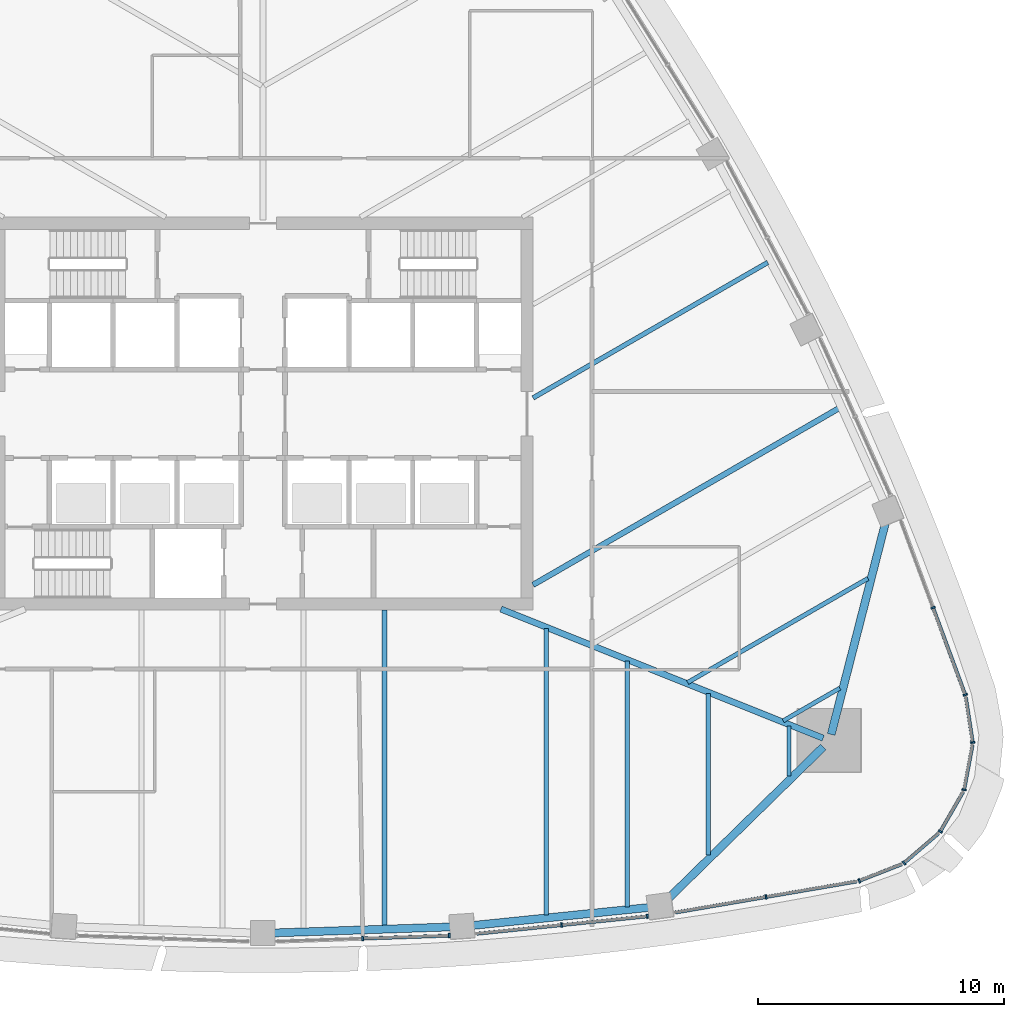
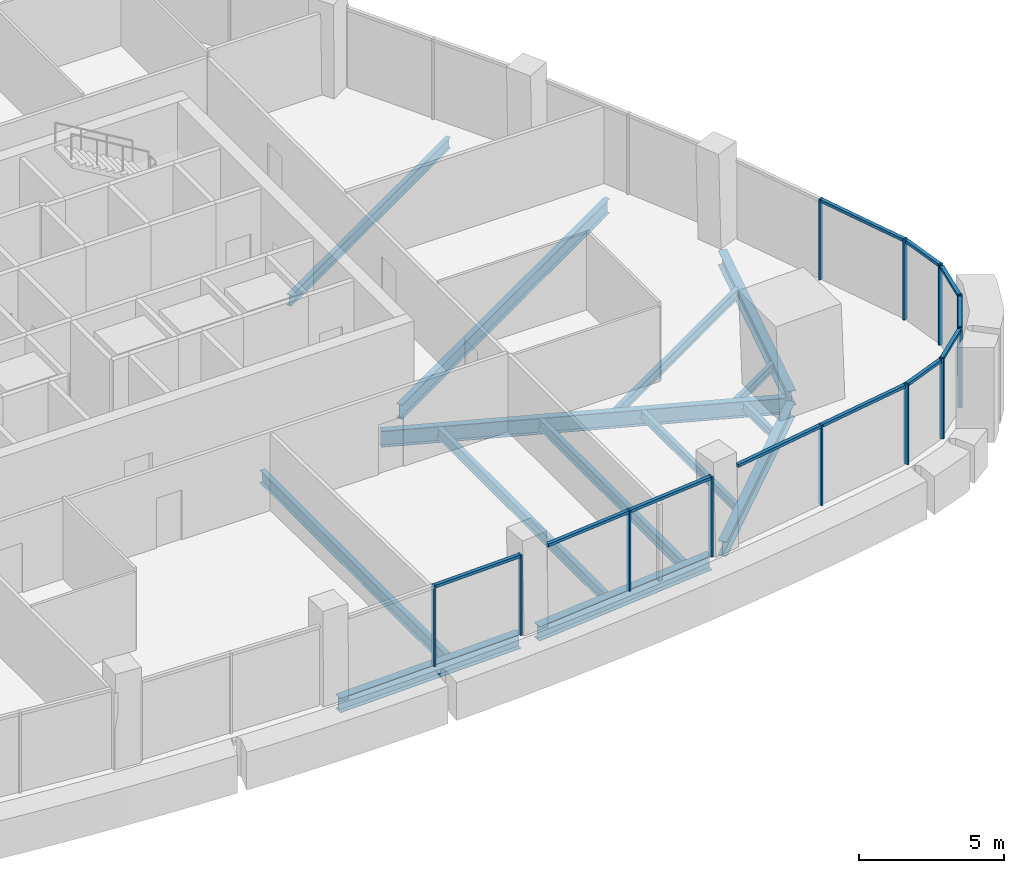
# One storey, part 4 of 16: 23 members, 14 beams, 9 elements without a shape of their own.
"""IFC4 building model written with IfcOpenShell, lengths in metres."""

from ifc_helpers import new_model, si_unit, direction, frame, origin, origin_2d, place, context, subcontext, project, spatial, rectangle, i_section, extrude, material, layer, layer_set, material_profile, profile_set, type_object, element, aggregate, save


model = new_model("IFC4")

# Units and contexts
model_context = context("Model", 3, precision=1e-05, world=origin(), true_north=direction((0.0, 1.0)))
body_context = subcontext(model_context, "Body", "Model", "MODEL_VIEW")
ifc_project = project(units=[si_unit("LENGTHUNIT", "METRE"), si_unit("AREAUNIT", "SQUARE_METRE"), si_unit("VOLUMEUNIT", "CUBIC_METRE"), si_unit("PLANEANGLEUNIT", "RADIAN"), si_unit("MASSUNIT", "GRAM", prefix="KILO")], contexts=[model_context])

# Site, building, storey
site_placement = place(None, origin())
site = spatial("IfcSite", under=ifc_project, at=site_placement, CompositionType="ELEMENT")
building_placement = place(site_placement, origin())
building = spatial("IfcBuilding", under=site, at=building_placement, Name="Sierra Prisma Convention Tower", CompositionType="ELEMENT")
storey_placement = place(building_placement, frame((0.0, 0.0, 197.800048828125)))
storey = spatial("IfcBuildingStorey", under=building, at=storey_placement, Name="L44", CompositionType="ELEMENT", Elevation=197.800048828125)

# Curtain wall, members
ifc_material_1 = material(Name="Aluminium and glass curtain wall", Category="aluminium")
ifc_layer = layer(ifc_material_1, 0.179931640625)
ifc_layer_set = layer_set([ifc_layer], Name="CW-1 Plain shaft curtain wall")
curtain_wall_type = type_object("IfcCurtainWallType", Name="CW-1 Plain shaft curtain wall", PredefinedType="NOTDEFINED", material=ifc_layer_set)
curtain_wall_1_placement = place(storey_placement, origin())
curtain_wall_1 = element("IfcCurtainWall", 1, at=curtain_wall_1_placement, inside=storey, type_object=curtain_wall_type, Name="CW-1 S4 L44", PredefinedType="NOTDEFINED")
ifc_material_2 = material(Name="Aluminium 6063-T6 bronze anodised", Category="aluminium")
ifc_material_profile_1 = material_profile(ifc_material_2, rectangle(XDim=0.179931640625, YDim=0.070068359375, at=origin_2d()), Name="ALU MULLION 70x180")
ifc_profile_set_1 = profile_set([ifc_material_profile_1], Name="Aluminium 6063-T6 bronze anodised")
member_type_1 = type_object("IfcMemberType", Name="CW mullion bronze", PredefinedType="MULLION", material=ifc_profile_set_1)
member_1_placement = place(storey_placement, frame((4.06103515625, -21.375244140625, 0.0), z_axis=(0.0, 0.0, 1.0), x_axis=(-0.033892990048, 0.999425467569, 0.0)))
member_1 = element("IfcMember", 2, at=member_1_placement, type_object=member_type_1, Name="CW-1 mullion S4.2", PredefinedType="MULLION", context=body_context, shape_type="SweptSolid", body=[
    extrude(rectangle(XDim=0.179931640625, YDim=0.070068359375, at=origin_2d()), origin(), (0.0, 0.0, 1.0), 3.39990234375),
])
member_2_placement = place(storey_placement, frame((7.587158203125, -21.255615234375, 0.0), z_axis=(0.0, 0.0, 1.0), x_axis=(-0.033892990048, 0.999425467569, 0.0)))
member_2 = element("IfcMember", 3, at=member_2_placement, type_object=member_type_1, Name="CW-1 mullion S4.3", PredefinedType="MULLION", context=body_context, shape_type="SweptSolid", body=[
    extrude(rectangle(XDim=0.179931640625, YDim=0.070068359375, at=origin_2d()), origin(), (0.0, 0.0, 1.0), 3.39990234375),
])

curtain_wall_2_placement = place(storey_placement, origin())
curtain_wall_2 = element("IfcCurtainWall", 4, at=curtain_wall_2_placement, inside=storey, type_object=curtain_wall_type, Name="CW-1 S5 L44", PredefinedType="NOTDEFINED")
member_3_placement = place(storey_placement, frame((12.16064453125, -20.826171875, 0.0), z_axis=(0.0, 0.0, 1.0), x_axis=(-0.101523233919, 0.994833168413, 0.0)))
member_3 = element("IfcMember", 5, at=member_3_placement, type_object=member_type_1, Name="CW-1 mullion S5.2", PredefinedType="MULLION", context=body_context, shape_type="SweptSolid", body=[
    extrude(rectangle(XDim=0.179931640625, YDim=0.070068359375, at=origin_2d()), origin(), (0.0, 0.0, 1.0), 3.39990234375),
])
member_4_placement = place(storey_placement, frame((15.65478515625, -20.469482421875, 0.0), z_axis=(0.0, 0.0, 1.0), x_axis=(-0.101523233919, 0.994833168413, 0.0)))
member_4 = element("IfcMember", 6, at=member_4_placement, type_object=member_type_1, Name="CW-1 mullion S5.3", PredefinedType="MULLION", context=body_context, shape_type="SweptSolid", body=[
    extrude(rectangle(XDim=0.179931640625, YDim=0.070068359375, at=origin_2d()), origin(), (0.0, 0.0, 1.0), 3.39990234375),
])

# Curtain wall, member
curtain_wall_3_placement = place(storey_placement, origin())
curtain_wall_3 = element("IfcCurtainWall", 7, at=curtain_wall_3_placement, inside=storey, type_object=curtain_wall_type, Name="CW-1 S6 L44", PredefinedType="NOTDEFINED")
member_5_placement = place(storey_placement, frame((20.489013671875, -19.68212890625, 0.0), z_axis=(0.0, 0.0, 1.0), x_axis=(-0.168686984713, 0.985669671436, 0.0)))
member_5 = element("IfcMember", 8, at=member_5_placement, type_object=member_type_1, Name="CW-1 mullion S6.2", PredefinedType="MULLION", context=body_context, shape_type="SweptSolid", body=[
    extrude(rectangle(XDim=0.179931640625, YDim=0.070068359375, at=origin_2d()), origin(), (0.0, 0.0, 1.0), 3.39990234375),
])

curtain_wall_4_placement = place(storey_placement, origin())
curtain_wall_4 = element("IfcCurtainWall", 9, at=curtain_wall_4_placement, inside=storey, type_object=curtain_wall_type, Name="CW-1 SE1 L44", PredefinedType="NOTDEFINED")
member_6_placement = place(storey_placement, frame((24.286376953125, -19.02490234375, 0.0), z_axis=(0.0, 0.0, 1.0), x_axis=(-0.363625643314, 0.931545163438, 0.0)))
member_6 = element("IfcMember", 10, at=member_6_placement, type_object=member_type_1, Name="CW-1 mullion SE1.1", PredefinedType="MULLION", context=body_context, shape_type="SweptSolid", body=[
    extrude(rectangle(XDim=0.179931640625, YDim=0.070068359375, at=origin_2d()), origin(), (0.0, 0.0, 1.0), 3.39990234375),
])

curtain_wall_5_placement = place(storey_placement, origin())
curtain_wall_5 = element("IfcCurtainWall", 11, at=curtain_wall_5_placement, inside=storey, type_object=curtain_wall_type, Name="CW-1 SE2 L44", PredefinedType="NOTDEFINED")
member_7_placement = place(storey_placement, frame((26.1064453125, -18.302001953125, 0.0), z_axis=(0.0, 0.0, 1.0), x_axis=(-0.651589004994, 0.758572190744, 0.0)))
member_7 = element("IfcMember", 12, at=member_7_placement, type_object=member_type_1, Name="CW-1 mullion SE2.1", PredefinedType="MULLION", context=body_context, shape_type="SweptSolid", body=[
    extrude(rectangle(XDim=0.179931640625, YDim=0.070068359375, at=origin_2d()), origin(), (0.0, 0.0, 1.0), 3.39990234375),
])

curtain_wall_6_placement = place(storey_placement, origin())
curtain_wall_6 = element("IfcCurtainWall", 13, at=curtain_wall_6_placement, inside=storey, type_object=curtain_wall_type, Name="CW-1 SE3 L44", PredefinedType="NOTDEFINED")
member_8_placement = place(storey_placement, frame((27.58447265625, -17.017333984375, 0.0), z_axis=(0.0, 0.0, 1.0), x_axis=(-0.866025403784, 0.5, 0.0)))
member_8 = element("IfcMember", 14, at=member_8_placement, type_object=member_type_1, Name="CW-1 mullion SE3.1", PredefinedType="MULLION", context=body_context, shape_type="SweptSolid", body=[
    extrude(rectangle(XDim=0.179931640625, YDim=0.070068359375, at=origin_2d()), origin(), (0.0, 0.0, 1.0), 3.39990234375),
])

curtain_wall_7_placement = place(storey_placement, origin())
curtain_wall_7 = element("IfcCurtainWall", 15, at=curtain_wall_7_placement, inside=storey, type_object=curtain_wall_type, Name="CW-1 SE4 L44", PredefinedType="NOTDEFINED")
member_9_placement = place(storey_placement, frame((28.5537109375, -15.3154296875, 0.0), z_axis=(0.0, 0.0, 1.0), x_axis=(-0.982737290286, 0.185006535779, 0.0)))
member_9 = element("IfcMember", 16, at=member_9_placement, type_object=member_type_1, Name="CW-1 mullion SE4.1", PredefinedType="MULLION", context=body_context, shape_type="SweptSolid", body=[
    extrude(rectangle(XDim=0.179931640625, YDim=0.070068359375, at=origin_2d()), origin(), (0.0, 0.0, 1.0), 3.39990234375),
])

curtain_wall_8_placement = place(storey_placement, origin())
curtain_wall_8 = element("IfcCurtainWall", 17, at=curtain_wall_8_placement, inside=storey, type_object=curtain_wall_type, Name="CW-1 SE5 L44", PredefinedType="NOTDEFINED")
member_10_placement = place(storey_placement, frame((28.904541015625, -13.388671875, 0.0), z_axis=(0.0, 0.0, 1.0), x_axis=(-0.988554597967, -0.150863537142, 0.0)))
member_10 = element("IfcMember", 18, at=member_10_placement, type_object=member_type_1, Name="CW-1 mullion SE5.1", PredefinedType="MULLION", context=body_context, shape_type="SweptSolid", body=[
    extrude(rectangle(XDim=0.179931640625, YDim=0.070068359375, at=origin_2d()), origin(), (0.0, 0.0, 1.0), 3.39990234375),
])

# Curtain wall, members
curtain_wall_9_placement = place(storey_placement, origin())
curtain_wall_9 = element("IfcCurtainWall", 19, at=curtain_wall_9_placement, inside=storey, type_object=curtain_wall_type, Name="CW-1 NE1 L44", PredefinedType="NOTDEFINED")
member_11_placement = place(storey_placement, frame((28.601806640625, -11.45263671875, 0.0), z_axis=(0.0, 0.0, 1.0), x_axis=(-0.93795846756, -0.346747621669, 0.0)))
member_11 = element("IfcMember", 20, at=member_11_placement, type_object=member_type_1, Name="CW-1 mullion NE1.1", PredefinedType="MULLION", context=body_context, shape_type="SweptSolid", body=[
    extrude(rectangle(XDim=0.179931640625, YDim=0.070068359375, at=origin_2d()), origin(), (0.0, 0.0, 1.0), 3.39990234375),
])
member_12_placement = place(storey_placement, frame((27.28955078125, -7.90283203125, 0.0), z_axis=(0.0, 0.0, 1.0), x_axis=(-0.93795846756, -0.346747621669, 0.0)))
member_12 = element("IfcMember", 21, at=member_12_placement, type_object=member_type_1, Name="CW-1 mullion NE1.2", PredefinedType="MULLION", context=body_context, shape_type="SweptSolid", body=[
    extrude(rectangle(XDim=0.179931640625, YDim=0.070068359375, at=origin_2d()), origin(), (0.0, 0.0, 1.0), 3.39990234375),
])

# Member
ifc_material_3 = material(Name="Aluminium 6063-T6 bronze anodised", Category="aluminium")
ifc_material_profile_2 = material_profile(ifc_material_3, rectangle(XDim=0.139892578125, YDim=0.1201171875, at=origin_2d()), Name="ALU TRANSOM 120x140")
ifc_profile_set_2 = profile_set([ifc_material_profile_2], Name="Aluminium 6063-T6 bronze anodised")
member_type_2 = type_object("IfcMemberType", Name="CW transom bronze", PredefinedType="USERDEFINED", material=ifc_profile_set_2)
member_13_placement = place(storey_placement, frame((4.095947265625, -21.3740234375, 3.33984375), z_axis=(0.999425704029, 0.033886016666, 0.0), x_axis=(-0.033886016666, 0.999425704029, 0.0)))
member_13 = element("IfcMember", 22, at=member_13_placement, type_object=member_type_2, Name="CW-1 transom S4.2", ObjectType="TRANSOM", PredefinedType="USERDEFINED", context=body_context, shape_type="SweptSolid", body=[
    extrude(rectangle(XDim=0.139892578125, YDim=0.1201171875, at=origin_2d()), origin(), (0.0, 0.0, 1.0), 3.458251953125),
])

aggregate(curtain_wall_1, [member_1, member_2, member_13])

member_14_placement = place(storey_placement, frame((8.701416015625, -21.17919921875, 3.33984375), z_axis=(0.994829317746, 0.101560959793, 0.0), x_axis=(-0.101560959793, 0.994829317746, 0.0)))
member_14 = element("IfcMember", 23, at=member_14_placement, type_object=member_type_2, Name="CW-1 transom S5.1", ObjectType="TRANSOM", PredefinedType="USERDEFINED", context=body_context, shape_type="SweptSolid", body=[
    extrude(rectangle(XDim=0.139892578125, YDim=0.1201171875, at=origin_2d()), origin(), (0.0, 0.0, 1.0), 3.4423828125),
])

member_15_placement = place(storey_placement, frame((12.195556640625, -20.822509765625, 3.33984375), z_axis=(0.99483648103, 0.101490768115, 0.0), x_axis=(-0.101490768115, 0.99483648103, 0.0)))
member_15 = element("IfcMember", 24, at=member_15_placement, type_object=member_type_2, Name="CW-1 transom S5.2", ObjectType="TRANSOM", PredefinedType="USERDEFINED", context=body_context, shape_type="SweptSolid", body=[
    extrude(rectangle(XDim=0.139892578125, YDim=0.1201171875, at=origin_2d()), origin(), (0.0, 0.0, 1.0), 3.4423828125),
])

aggregate(curtain_wall_2, [member_3, member_4, member_14, member_15])

member_16_placement = place(storey_placement, frame((16.793212890625, -20.314453125, 3.33984375), z_axis=(0.985675993984, 0.168650036712, 0.0), x_axis=(-0.168650036712, 0.985675993984, 0.0)))
member_16 = element("IfcMember", 25, at=member_16_placement, type_object=member_type_2, Name="CW-1 transom S6.1", ObjectType="TRANSOM", PredefinedType="USERDEFINED", context=body_context, shape_type="SweptSolid", body=[
    extrude(rectangle(XDim=0.139892578125, YDim=0.1201171875, at=origin_2d()), origin(), (0.0, 0.0, 1.0), 3.714599609375),
])

member_17_placement = place(storey_placement, frame((20.5234375, -19.67626953125, 3.33984375), z_axis=(0.985665066309, 0.168713891126, 0.0), x_axis=(-0.168713891126, 0.985665066309, 0.0)))
member_17 = element("IfcMember", 26, at=member_17_placement, type_object=member_type_2, Name="CW-1 transom S6.2", ObjectType="TRANSOM", PredefinedType="USERDEFINED", context=body_context, shape_type="SweptSolid", body=[
    extrude(rectangle(XDim=0.139892578125, YDim=0.1201171875, at=origin_2d()), origin(), (0.0, 0.0, 1.0), 3.714599609375),
])

aggregate(curtain_wall_3, [member_5, member_16, member_17])

member_18_placement = place(storey_placement, frame((24.31884765625, -19.01220703125, 3.33984375), z_axis=(0.931561001301, 0.363585066877, 0.0), x_axis=(-0.363585066877, 0.931561001301, 0.0)))
member_18 = element("IfcMember", 27, at=member_18_placement, type_object=member_type_2, Name="CW-1 transom SE1.1", ObjectType="TRANSOM", PredefinedType="USERDEFINED", context=body_context, shape_type="SweptSolid", body=[
    extrude(rectangle(XDim=0.139892578125, YDim=0.1201171875, at=origin_2d()), origin(), (0.0, 0.0, 1.0), 1.8203125),
])

aggregate(curtain_wall_4, [member_6, member_18])

member_19_placement = place(storey_placement, frame((26.133056640625, -18.279296875, 3.33984375), z_axis=(0.758593488697, 0.651564209351, 0.0), x_axis=(-0.651564209351, 0.758593488697, 0.0)))
member_19 = element("IfcMember", 28, at=member_19_placement, type_object=member_type_2, Name="CW-1 transom SE2.1", ObjectType="TRANSOM", PredefinedType="USERDEFINED", context=body_context, shape_type="SweptSolid", body=[
    extrude(rectangle(XDim=0.139892578125, YDim=0.1201171875, at=origin_2d()), origin(), (0.0, 0.0, 1.0), 1.8203125),
])

aggregate(curtain_wall_5, [member_7, member_19])

member_20_placement = place(storey_placement, frame((27.60205078125, -16.987060546875, 3.33984375), z_axis=(0.499946889248, 0.86605606512, 0.0), x_axis=(-0.86605606512, 0.499946889248, 0.0)))
member_20 = element("IfcMember", 29, at=member_20_placement, type_object=member_type_2, Name="CW-1 transom SE3.1", ObjectType="TRANSOM", PredefinedType="USERDEFINED", context=body_context, shape_type="SweptSolid", body=[
    extrude(rectangle(XDim=0.139892578125, YDim=0.1201171875, at=origin_2d()), origin(), (0.0, 0.0, 1.0), 1.820556640625),
])

aggregate(curtain_wall_6, [member_8, member_20])

member_21_placement = place(storey_placement, frame((28.56005859375, -15.281005859375, 3.33984375), z_axis=(0.184960643597, 0.982745928671, 0.0), x_axis=(-0.982745928671, 0.184960643597, 0.0)))
member_21 = element("IfcMember", 30, at=member_21_placement, type_object=member_type_2, Name="CW-1 transom SE4.1", ObjectType="TRANSOM", PredefinedType="USERDEFINED", context=body_context, shape_type="SweptSolid", body=[
    extrude(rectangle(XDim=0.139892578125, YDim=0.1201171875, at=origin_2d()), origin(), (0.0, 0.0, 1.0), 1.8203125),
])

aggregate(curtain_wall_7, [member_9, member_21])

member_22_placement = place(storey_placement, frame((28.899169921875, -13.354248046875, 3.33984375), z_axis=(-0.150877960427, 0.988552396718, 0.0), x_axis=(-0.988552396718, -0.150877960427, 0.0)))
member_22 = element("IfcMember", 31, at=member_22_placement, type_object=member_type_2, Name="CW-1 transom SE5.1", ObjectType="TRANSOM", PredefinedType="USERDEFINED", context=body_context, shape_type="SweptSolid", body=[
    extrude(rectangle(XDim=0.139892578125, YDim=0.1201171875, at=origin_2d()), origin(), (0.0, 0.0, 1.0), 1.8203125),
])

aggregate(curtain_wall_8, [member_10, member_22])

member_23_placement = place(storey_placement, frame((28.58984375, -11.419921875, 3.33984375), z_axis=(-0.346762020219, 0.93795314453, 0.0), x_axis=(-0.93795314453, -0.346762020219, 0.0)))
member_23 = element("IfcMember", 32, at=member_23_placement, type_object=member_type_2, Name="CW-1 transom NE1.1", ObjectType="TRANSOM", PredefinedType="USERDEFINED", context=body_context, shape_type="SweptSolid", body=[
    extrude(rectangle(XDim=0.139892578125, YDim=0.1201171875, at=origin_2d()), origin(), (0.0, 0.0, 1.0), 3.714599609375),
])

aggregate(curtain_wall_9, [member_11, member_12, member_23])

# Beams
ifc_material_4 = material(Name="Steel ASTM A992 Gr 50", Category="steel")
ifc_material_profile_3 = material_profile(ifc_material_4, i_section(OverallWidth=0.172119140625, OverallDepth=0.35791015625, WebThickness=0.0078125, FlangeThickness=0.01318359375, at=origin_2d()), Name="W360x57")
ifc_profile_set_3 = profile_set([ifc_material_profile_3], Name="Steel ASTM A992 Gr 50")
beam_type_1 = type_object("IfcBeamType", Name="Floor joist W360x57", PredefinedType="JOIST", material=ifc_profile_set_3)
beam_1_placement = place(storey_placement, frame((18.13037109375, -17.982421875, -0.3291015625), z_axis=(0.0, 1.0, 0.0), x_axis=(-1.0, 0.0, 0.0)))
element("IfcBeam", 33, at=beam_1_placement, inside=storey, type_object=beam_type_1, Name="Floor joist L44 S13", PredefinedType="JOIST", context=body_context, shape_type="SweptSolid", body=[
    extrude(i_section(OverallWidth=0.172119140625, OverallDepth=0.35791015625, WebThickness=0.0078125, FlangeThickness=0.01318359375, at=origin_2d()), origin(), (0.0, 0.0, 1.0), 6.587890625),
])
beam_2_placement = place(storey_placement, frame((21.4267578125, -14.757568359375, -0.3291015625), z_axis=(0.0, 1.0, 0.0), x_axis=(-1.0, 0.0, 0.0)))
element("IfcBeam", 34, at=beam_2_placement, inside=storey, type_object=beam_type_1, Name="Floor joist L44 S14", PredefinedType="JOIST", context=body_context, shape_type="SweptSolid", body=[
    extrude(i_section(OverallWidth=0.172119140625, OverallDepth=0.35791015625, WebThickness=0.0078125, FlangeThickness=0.01318359375, at=origin_2d()), origin(), (0.0, 0.0, 1.0), 2.041259765625),
])
beam_3_placement = place(storey_placement, frame((23.49365234375, -11.17724609375, -0.3291015625), z_axis=(-0.865996425285, -0.500050188875, 0.0), x_axis=(0.500050188875, -0.865996425285, 0.0)))
element("IfcBeam", 35, at=beam_3_placement, inside=storey, type_object=beam_type_1, Name="Floor joist L44 NE01", PredefinedType="JOIST", context=body_context, shape_type="SweptSolid", body=[
    extrude(i_section(OverallWidth=0.172119140625, OverallDepth=0.35791015625, WebThickness=0.0078125, FlangeThickness=0.01318359375, at=origin_2d()), origin(), (0.0, 0.0, 1.0), 2.665283203125),
])
ifc_material_5 = material(Name="Steel ASTM A992 Gr 50", Category="steel")
ifc_material_profile_4 = material_profile(ifc_material_5, i_section(OverallWidth=0.177978515625, OverallDepth=0.406982421875, WebThickness=0.0078125, FlangeThickness=0.0126953125, at=origin_2d()), Name="W410x60")
ifc_profile_set_4 = profile_set([ifc_material_profile_4], Name="Steel ASTM A992 Gr 50")
beam_type_2 = type_object("IfcBeamType", Name="Floor joist W410x60", PredefinedType="JOIST", material=ifc_profile_set_4)
beam_4_placement = place(storey_placement, frame((24.638427734375, -6.7099609375, -0.353515625), z_axis=(-0.866021615095, -0.500006562146, 0.0), x_axis=(0.500006562146, -0.866021615095, 0.0)))
element("IfcBeam", 36, at=beam_4_placement, inside=storey, type_object=beam_type_2, Name="Floor joist L44 NE02", PredefinedType="JOIST", context=body_context, shape_type="SweptSolid", body=[
    extrude(i_section(OverallWidth=0.177978515625, OverallDepth=0.406982421875, WebThickness=0.0078125, FlangeThickness=0.0126953125, at=origin_2d()), origin(), (0.0, 0.0, 1.0), 8.47998046875),
])
ifc_material_6 = material(Name="Steel ASTM A992 Gr 50", Category="steel")
ifc_material_profile_5 = material_profile(ifc_material_6, i_section(OverallWidth=0.18994140625, OverallDepth=0.45703125, WebThickness=0.009033203125, FlangeThickness=0.014404296875, at=origin_2d()), Name="W460x74")
ifc_profile_set_5 = profile_set([ifc_material_profile_5], Name="Steel ASTM A992 Gr 50")
beam_type_3 = type_object("IfcBeamType", Name="Floor joist W460x74", PredefinedType="JOIST", material=ifc_profile_set_5)
beam_5_placement = place(storey_placement, frame((11.53759765625, -20.4248046875, -0.378662109375), z_axis=(0.0, 1.0, 0.0), x_axis=(-1.0, 0.0, 0.0)))
element("IfcBeam", 37, at=beam_5_placement, inside=storey, type_object=beam_type_3, Name="Floor joist L44 S11", PredefinedType="JOIST", context=body_context, shape_type="SweptSolid", body=[
    extrude(i_section(OverallWidth=0.18994140625, OverallDepth=0.45703125, WebThickness=0.009033203125, FlangeThickness=0.014404296875, at=origin_2d()), origin(), (0.0, 0.0, 1.0), 11.673583984375),
])
beam_6_placement = place(storey_placement, frame((14.833984375, -20.08837890625, -0.378662109375), z_axis=(0.0, 1.0, 0.0), x_axis=(-1.0, 0.0, 0.0)))
element("IfcBeam", 38, at=beam_6_placement, inside=storey, type_object=beam_type_3, Name="Floor joist L44 S12", PredefinedType="JOIST", context=body_context, shape_type="SweptSolid", body=[
    extrude(i_section(OverallWidth=0.18994140625, OverallDepth=0.45703125, WebThickness=0.009033203125, FlangeThickness=0.014404296875, at=origin_2d()), origin(), (0.0, 0.0, 1.0), 10.015380859375),
])
beam_7_placement = place(storey_placement, frame((20.55712890625, 6.1591796875, -0.378662109375), z_axis=(-0.866024959656, -0.500000769253, 0.0), x_axis=(0.500000769253, -0.866024959656, 0.0)))
element("IfcBeam", 39, at=beam_7_placement, inside=storey, type_object=beam_type_3, Name="Floor joist L44 NE06", PredefinedType="JOIST", context=body_context, shape_type="SweptSolid", body=[
    extrude(i_section(OverallWidth=0.18994140625, OverallDepth=0.45703125, WebThickness=0.009033203125, FlangeThickness=0.014404296875, at=origin_2d()), origin(), (0.0, 0.0, 1.0), 11.03564453125),
])
ifc_material_7 = material(Name="Steel ASTM A992 Gr 50", Category="steel")
ifc_material_profile_6 = material_profile(ifc_material_7, i_section(OverallWidth=0.208984375, OverallDepth=0.532958984375, WebThickness=0.01025390625, FlangeThickness=0.015625, at=origin_2d()), Name="W530x92")
ifc_profile_set_6 = profile_set([ifc_material_profile_6], Name="Steel ASTM A992 Gr 50")
beam_type_4 = type_object("IfcBeamType", Name="Floor joist W530x92", PredefinedType="JOIST", material=ifc_profile_set_6)
beam_8_placement = place(storey_placement, frame((4.944580078125, -20.882568359375, -0.41650390625), z_axis=(0.0, 1.0, 0.0), x_axis=(-1.0, 0.0, 0.0)))
element("IfcBeam", 40, at=beam_8_placement, inside=storey, type_object=beam_type_4, Name="Floor joist L44 S09", PredefinedType="JOIST", context=body_context, shape_type="SweptSolid", body=[
    extrude(i_section(OverallWidth=0.208984375, OverallDepth=0.532958984375, WebThickness=0.01025390625, FlangeThickness=0.015625, at=origin_2d()), origin(), (0.0, 0.0, 1.0), 12.882568359375),
])
ifc_material_8 = material(Name="Steel ASTM A992 Gr 50", Category="steel")
ifc_material_profile_7 = material_profile(ifc_material_8, i_section(OverallWidth=0.22802734375, OverallDepth=0.60302734375, WebThickness=0.010498046875, FlangeThickness=0.014892578125, at=origin_2d()), Name="W610x101")
ifc_profile_set_7 = profile_set([ifc_material_profile_7], Name="Steel ASTM A992 Gr 50")
beam_type_5 = type_object("IfcBeamType", Name="Floor joist W610x101", PredefinedType="JOIST", material=ifc_profile_set_7)
beam_9_placement = place(storey_placement, frame((23.45703125, 0.220703125, -0.45166015625), z_axis=(-0.86602334692, -0.500003562577, 0.0), x_axis=(0.500003562577, -0.86602334692, 0.0)))
element("IfcBeam", 41, at=beam_9_placement, inside=storey, type_object=beam_type_5, Name="Floor joist L44 NE04", PredefinedType="JOIST", context=body_context, shape_type="SweptSolid", body=[
    extrude(i_section(OverallWidth=0.22802734375, OverallDepth=0.60302734375, WebThickness=0.010498046875, FlangeThickness=0.014892578125, at=origin_2d()), origin(), (0.0, 0.0, 1.0), 14.38427734375),
])
ifc_material_9 = material(Name="Steel ASTM A992 Gr 50", Category="steel")
ifc_material_profile_8 = material_profile(ifc_material_9, i_section(OverallWidth=0.25390625, OverallDepth=0.68408203125, WebThickness=0.012451171875, FlangeThickness=0.018798828125, at=origin_2d()), Name="W690x140")
ifc_profile_set_8 = profile_set([ifc_material_profile_8], Name="Steel ASTM A992 Gr 50")
beam_type_6 = type_object("IfcBeamType", Name="Radial girder W690x140", PredefinedType="BEAM", material=ifc_profile_set_8)
beam_10_placement = place(storey_placement, frame((22.81494140625, -13.218017578125, -0.491943359375), z_axis=(-0.92817874401, 0.372134678804, 0.0), x_axis=(-0.372134678804, -0.92817874401, 0.0)))
element("IfcBeam", 42, at=beam_10_placement, inside=storey, type_object=beam_type_6, Name="Radial girder L44 SE", PredefinedType="BEAM", context=body_context, shape_type="SweptSolid", body=[
    extrude(i_section(OverallWidth=0.25390625, OverallDepth=0.68408203125, WebThickness=0.012451171875, FlangeThickness=0.018798828125, at=origin_2d()), origin(), (0.0, 0.0, 1.0), 14.141845703125),
])
ifc_material_10 = material(Name="Steel ASTM A992 Gr 50", Category="steel")
ifc_material_profile_9 = material_profile(ifc_material_10, i_section(OverallWidth=0.324951171875, OverallDepth=0.615966796875, WebThickness=0.013916015625, FlangeThickness=0.021484375, at=origin_2d()), Name="W610x174")
ifc_profile_set_9 = profile_set([ifc_material_profile_9], Name="Steel ASTM A992 Gr 50")
beam_type_7 = type_object("IfcBeamType", Name="Spandrel beam W610x174", PredefinedType="BEAM", material=ifc_profile_set_9)
for number, where, z_axis, x_axis, name in (
    (43, (0.380126953125, -21.14990234375, -0.4580078125), (0.999425508905, 0.03389177111, 0.0), (-0.03389177111, 0.999425508905, 0.0), "Spandrel L44-04"),
    (44, (8.489013671875, -20.84912109375, -0.4580078125), (0.994834347777, 0.101511676583, 0.0), (-0.101511676583, 0.994834347777, 0.0), "Spandrel L44-05"),
):
    element("IfcBeam", number, at=place(storey_placement, frame(where, z_axis=z_axis, x_axis=x_axis)), inside=storey, type_object=beam_type_7, Name=name, PredefinedType="BEAM", context=body_context, shape_type="SweptSolid", body=[
        extrude(i_section(OverallWidth=0.324951171875, OverallDepth=0.615966796875, WebThickness=0.013916015625, FlangeThickness=0.021484375, at=origin_2d()), origin(), (0.0, 0.0, 1.0), 7.354736328125),
    ])
beam_11_placement = place(storey_placement, frame((16.54345703125, -19.712158203125, -0.4580078125), z_axis=(0.714814067432, 0.699314556549, 0.0), x_axis=(-0.699314556549, 0.714814067432, 0.0)))
element("IfcBeam", 45, at=beam_11_placement, inside=storey, type_object=beam_type_7, Name="Spandrel L44-06", PredefinedType="BEAM", context=body_context, shape_type="SweptSolid", body=[
    extrude(i_section(OverallWidth=0.324951171875, OverallDepth=0.615966796875, WebThickness=0.013916015625, FlangeThickness=0.021484375, at=origin_2d()), origin(), (0.0, 0.0, 1.0), 8.773681640625),
])
beam_12_placement = place(storey_placement, frame((23.1416015625, -13.062255859375, -0.4580078125), z_axis=(0.248218382374, 0.968704100668, 0.0), x_axis=(-0.968704100668, 0.248218382374, 0.0)))
element("IfcBeam", 46, at=beam_12_placement, inside=storey, type_object=beam_type_7, Name="Spandrel L44-07", PredefinedType="BEAM", context=body_context, shape_type="SweptSolid", body=[
    extrude(i_section(OverallWidth=0.324951171875, OverallDepth=0.615966796875, WebThickness=0.013916015625, FlangeThickness=0.021484375, at=origin_2d()), origin(), (0.0, 0.0, 1.0), 8.868896484375),
])

save(model, "model.ifc")
